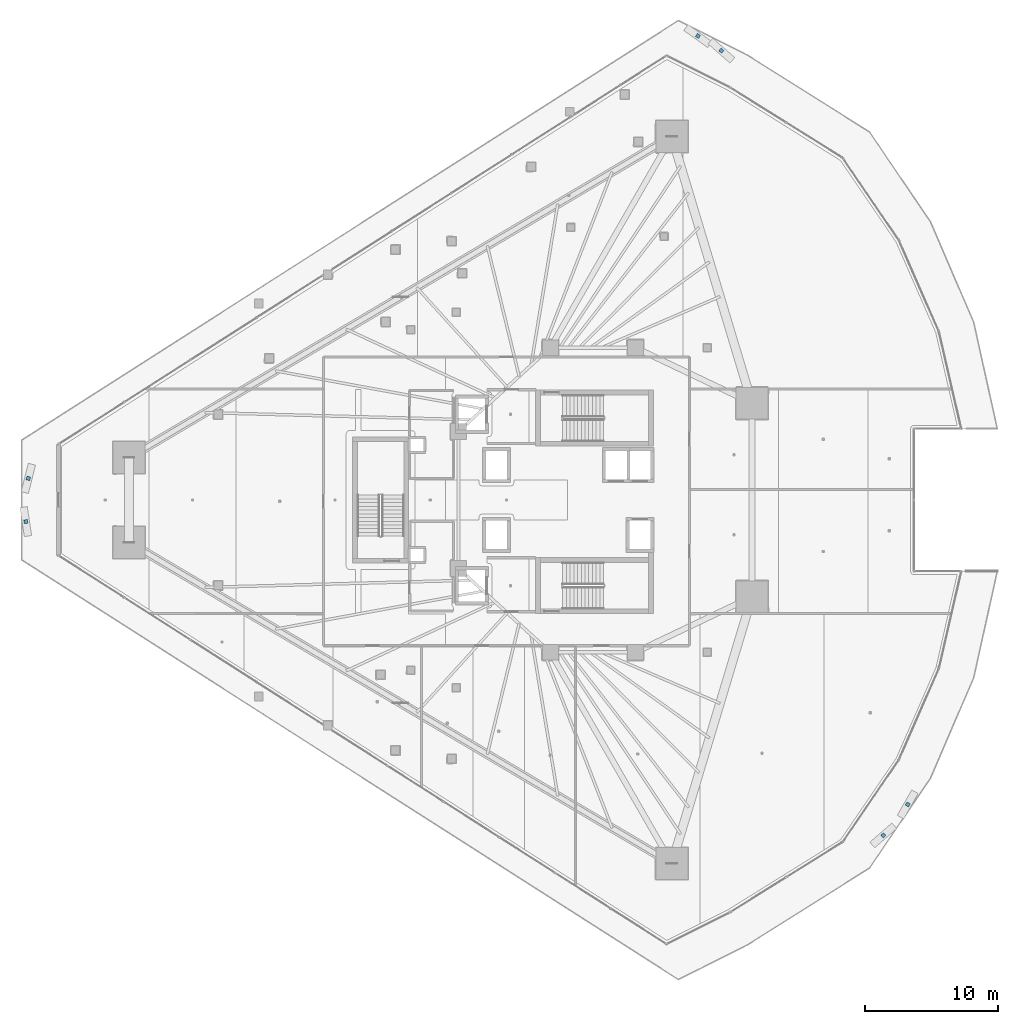
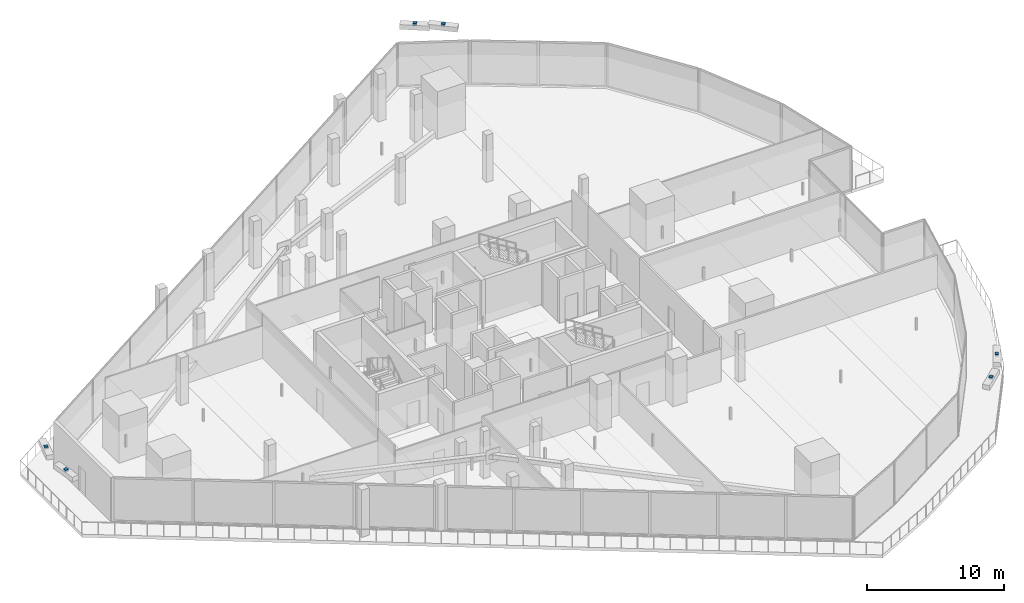
# One storey, part 36 of 45: 6 discrete accessories.
"""IFC4 building model written with IfcOpenShell, lengths in metres."""

from ifc_helpers import new_model, si_unit, direction, frame, origin, origin_2d, place, context, subcontext, project, spatial, rectangle, extrude, material, type_object, element, save


model = new_model("IFC4")

# Units and contexts
model_context = context("Model", 3, precision=1e-05, world=origin(), true_north=direction((0.0, 1.0)))
body_context = subcontext(model_context, "Body", "Model", "MODEL_VIEW")
ifc_project = project(units=[si_unit("LENGTHUNIT", "METRE"), si_unit("AREAUNIT", "SQUARE_METRE"), si_unit("VOLUMEUNIT", "CUBIC_METRE"), si_unit("PLANEANGLEUNIT", "RADIAN"), si_unit("MASSUNIT", "GRAM", prefix="KILO")], contexts=[model_context])

# Site, building, storey
site_placement = place(None, origin())
site = spatial("IfcSite", under=ifc_project, at=site_placement, CompositionType="ELEMENT")
building_placement = place(site_placement, origin())
building = spatial("IfcBuilding", under=site, at=building_placement, Name="Qorvath Tower", CompositionType="ELEMENT")
storey_placement = place(building_placement, frame((0.0, 0.0, 49.199951171875)))
storey = spatial("IfcBuildingStorey", under=building, at=storey_placement, Name="L10", CompositionType="ELEMENT", Elevation=49.199951171875)

# Discrete accessories
ifc_material = material(Name="Galvanised steel bracket", Category="steel")
discrete_accessory_type = type_object("IfcDiscreteAccessoryType", Name="DA-BRACKET", PredefinedType="BRACKET", material=ifc_material)
for number, where, z_axis, x_axis, name in (
    (1, (-62.855712890625, 1.62353515625, 3.7802734375), (0.0, 0.0, 1.0), (-0.242352017134, -0.970188383661, 0.0), "Louvre Wave Support Bracket L10-01"),
    (2, (-63.044677734375, -1.62353515625, 3.7802734375), (0.0, 0.0, 1.0), (0.150075466905, -0.988674544141, 0.0), "Louvre Wave Support Bracket L10-02"),
    (3, (1.443115234375, -25.218994140625, 3.7802734375), (0.0, 0.0, 1.0), (0.75200549541, 0.659156836325, 0.0), "Louvre Wave Support Bracket L10-03"),
    (4, (3.2763671875, -22.89404296875, 3.7802734375), (0.0, 0.0, 1.0), (0.494762643493, 0.869028150639, 0.0), "Louvre Wave Support Bracket L10-04"),
    (5, (-10.736328125, 33.79150390625, 3.7802734375), (0.0, 0.0, 1.0), (-0.752465490396, 0.658631676859, 0.0), "Louvre Wave Support Bracket L10-05"),
    (6, (-12.504638671875, 34.89306640625, 3.7802734375), (0.0, 0.0, 1.0), (-0.815188453442, 0.579195809183, 0.0), "Louvre Wave Support Bracket L10-06"),
):
    element("IfcDiscreteAccessory", number, at=place(storey_placement, frame(where, z_axis=z_axis, x_axis=x_axis)), inside=storey, type_object=discrete_accessory_type, Name=name, PredefinedType="NOTDEFINED", context=body_context, shape_type="SweptSolid", body=[
        extrude(rectangle(XDim=0.280029296875, YDim=0.280029296875, at=origin_2d()), origin(), (0.0, 0.0, 1.0), 0.199951171875),
    ])

save(model, "model.ifc")
